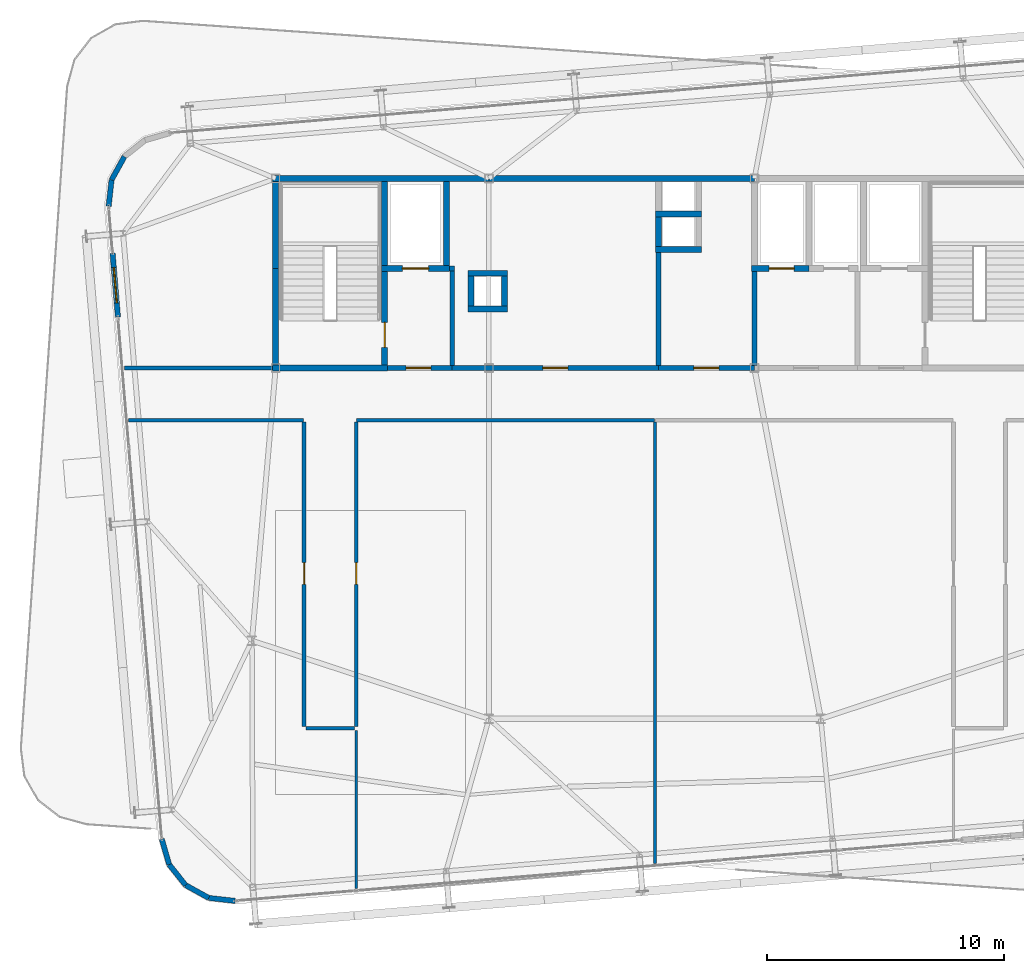
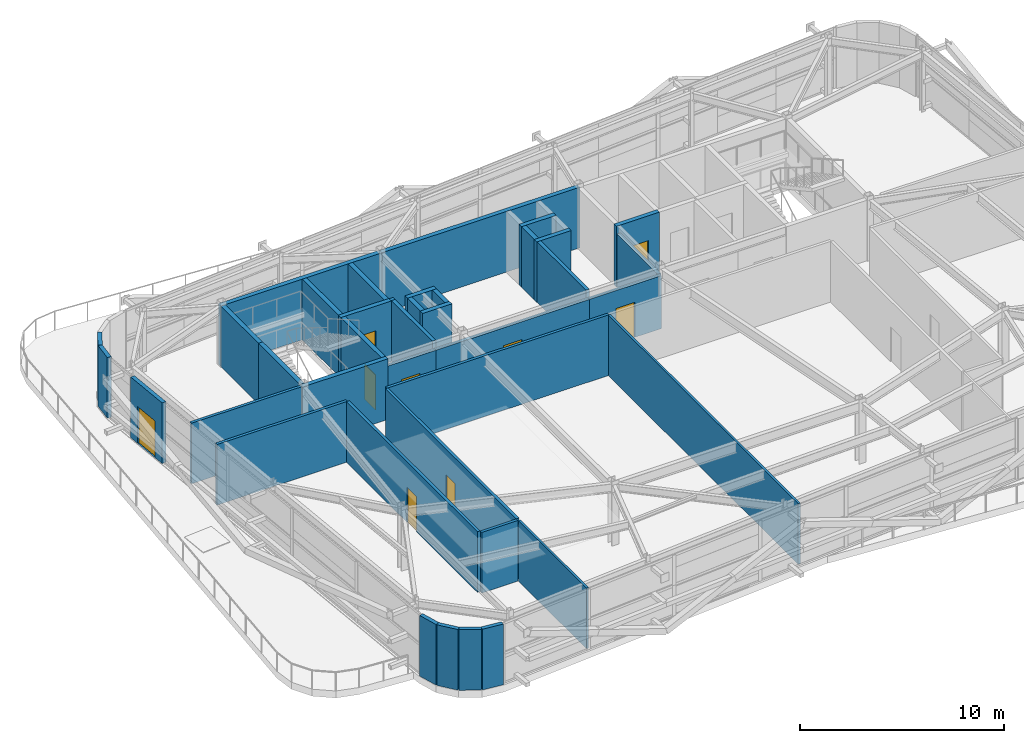
# One storey, part 33 of 38: 39 walls, 9 doors, 9 openings.
"""IFC4 building model written with IfcOpenShell, lengths in metres."""

from ifc_helpers import new_model, si_unit, direction, frame, frame_2d, origin, place, context, subcontext, project, spatial, rectangle, extrude, source, transform, mapped, material, layer, layer_set, type_object, element, fill, save


model = new_model("IFC4")

# Units and contexts
model_context = context("Model", 3, precision=1e-05, world=origin(), true_north=direction((0.0, 1.0)))
body_context = subcontext(model_context, "Body", "Model", "MODEL_VIEW")
ifc_project = project(units=[si_unit("LENGTHUNIT", "METRE"), si_unit("AREAUNIT", "SQUARE_METRE"), si_unit("VOLUMEUNIT", "CUBIC_METRE"), si_unit("PLANEANGLEUNIT", "RADIAN"), si_unit("MASSUNIT", "GRAM", prefix="KILO")], contexts=[model_context])

# Site, building, storey
site_placement = place(None, origin())
site = spatial("IfcSite", under=ifc_project, at=site_placement, CompositionType="ELEMENT")
building_placement = place(site_placement, origin())
building = spatial("IfcBuilding", under=site, at=building_placement, Name="Taldren Reach Tower", CompositionType="ELEMENT")
storey_placement = place(building_placement, frame((0.0, 0.0, 168.699951171875)))
storey = spatial("IfcBuildingStorey", under=building, at=storey_placement, Name="L51", CompositionType="ELEMENT", Elevation=168.699951171875)

# Walls
ifc_material_1 = material(Name="Pale Champagne Anodised Aluminium Cladding", Category="aluminium")
ifc_layer_1 = layer(ifc_material_1, 0.04, Name="Pale Champagne Anodised Aluminium Cladding", Category="aluminium")
ifc_material_2 = material(Name="Mineral Wool Acoustic Insulation", Category="insulation")
ifc_layer_2 = layer(ifc_material_2, 0.06, Name="Mineral Wool Acoustic Insulation", Category="insulation")
ifc_material_3 = material(Name="Steel Gr 350 (C350L0)", Category="steel")
ifc_layer_3 = layer(ifc_material_3, 0.12, Name="Steel Gr 350 (C350L0)", Category="steel")
ifc_layer_set_1 = layer_set([ifc_layer_1, ifc_layer_2, ifc_layer_3], Name="Pale Champagne Aluminium Cladding and Steel Gr 350 Stud Framing")
wall_type_1 = type_object("IfcWallType", Name="EW-CRN-220", PredefinedType="SOLIDWALL", material=ifc_layer_set_1)
shared_shape_1 = source(origin(), body_context, "Body", "SweptSolid", [
    extrude(rectangle(XDim=1.115966796875, YDim=0.219970703125, at=frame_2d((0.55810546875, 0.0))), origin(), (0.0, 0.0, 1.0), 3.630126953125),
])
for number, where, z_axis, x_axis, name in (
    (1, (12.618896484375, 32.9208984375, 0.0), (0.0, 0.0, 1.0), (-0.484100585842, -0.875012355791, 0.0), "Rounded-corner pale-metal facade wall L51-NW3"),
    (2, (12.07861328125, 31.9443359375, 0.0), (0.0, 0.0, 1.0), (-0.112232247342, -0.993682002784, 0.0), "Rounded-corner pale-metal facade wall L51-NW4"),
    (3, (14.19580078125, 4.129638671875, 0.0), (0.0, 0.0, 1.0), (0.276512002475, -0.961010464297, 0.0), "Rounded-corner pale-metal facade wall L51-SW1"),
    (4, (14.50439453125, 3.05712890625, 0.0), (0.0, 0.0, 1.0), (0.623092886403, -0.782147847222, 0.0), "Rounded-corner pale-metal facade wall L51-SW2"),
    (5, (15.19970703125, 2.184326171875, 0.0), (0.0, 0.0, 1.0), (0.875105012065, -0.483933071672, 0.0), "Rounded-corner pale-metal facade wall L51-SW3"),
    (6, (16.17626953125, 1.644287109375, 0.0), (0.0, 0.0, 1.0), (0.993657581277, -0.112448259968, 0.0), "Rounded-corner pale-metal facade wall L51-SW4"),
):
    element("IfcWall", number, at=place(storey_placement, frame(where, z_axis=z_axis, x_axis=x_axis)), inside=storey, type_object=wall_type_1, Name=name, PredefinedType="SOLIDWALL", context=body_context, shape_type="MappedRepresentation", body=[
        mapped(shared_shape_1, transform((0.0, 0.0, 0.0), scale=1.0)),
    ])

# Wall, opening, door
shared_shape_2 = source(origin(), body_context, "Body", "SweptSolid", [
    extrude(rectangle(XDim=2.699951171875, YDim=0.219970703125, at=frame_2d((1.35009765625, 0.0))), origin(), (0.0, 0.0, 1.0), 3.630126953125),
])
wall_1_placement = place(storey_placement, frame((12.12060546875, 28.842529296875, 0.0), z_axis=(0.0, 0.0, 1.0), x_axis=(0.083733940487, -0.99648814705, 0.0)))
wall_1 = element("IfcWall", 7, at=wall_1_placement, inside=storey, type_object=wall_type_1, Name="Terrace threshold facade wall L51-W1", PredefinedType="SOLIDWALL", context=body_context, shape_type="MappedRepresentation", body=[
    mapped(shared_shape_2, transform((0.0, 0.0, 0.0), scale=1.0)),
])
shared_shape_3 = source(origin(), body_context, "Body", "SweptSolid", [
    extrude(rectangle(XDim=1.5, YDim=2.199951171875, at=frame_2d((0.75, 1.10009765625))), frame((0.0, 0.1201171875, 0.0), z_axis=(0.0, -1.0, 0.0), x_axis=(1.0, 0.0, 0.0)), (0.0, 0.0, 1.0), 0.239990234375),
])
opening_1_placement = place(wall_1_placement, frame((0.60009765625, 0.0, 0.0)))
opening_1 = element("IfcOpeningElement", 8, at=opening_1_placement, cuts=wall_1, Name="Opening ED-150", PredefinedType="OPENING", context=body_context, shape_type="MappedRepresentation", body=[
    mapped(shared_shape_3, transform((0.0, 0.0, 0.0), scale=1.0)),
])
ifc_material_4 = material(Name="Weatherproof Glazed Terrace Door")
door_type_1 = type_object("IfcDoorType", Name="ED-TERR-1500", OperationType="DOUBLE_DOOR_SINGLE_SWING", PredefinedType="DOOR", material=ifc_material_4)
shared_shape_4 = source(origin(), body_context, "Body", "SweptSolid", [
    extrude(rectangle(XDim=1.5, YDim=2.199951171875, at=frame_2d((0.75, 1.10009765625))), frame((0.0, 0.02490234375, 0.0), z_axis=(0.0, -1.0, 0.0), x_axis=(1.0, 0.0, 0.0)), (0.0, 0.0, 1.0), 0.050048828125),
])
door_1_placement = place(opening_1_placement, frame((1.5, 0.0, 0.0), z_axis=(0.0, 0.0, 1.0), x_axis=(-1.0, 0.0, 0.0)))
door_1 = element("IfcDoor", 9, at=door_1_placement, inside=storey, type_object=door_type_1, Name="Setback terrace access door ED-TERR-L51-W1", OperationType="DOUBLE_DOOR_SINGLE_SWING", OverallHeight=2.199951171875, OverallWidth=1.5, PredefinedType="DOOR", context=body_context, shape_type="MappedRepresentation", body=[
    mapped(shared_shape_4, transform((0.0, 0.0, 0.0), scale=1.0)),
])
fill(opening_1, door_1)

# Walls
ifc_material_5 = material(Name="Concrete S65 (65 MPa)", Category="concrete")
ifc_layer_4 = layer(ifc_material_5, 0.25)
ifc_layer_set_2 = layer_set([ifc_layer_4], Name="Concrete S65 (65 MPa)")
wall_type_2 = type_object("IfcWallType", Name="IW-CORE-250", PredefinedType="SHEAR", material=ifc_layer_set_2)
shared_shape_5 = source(origin(), body_context, "Body", "SweptSolid", [
    extrude(rectangle(XDim=9.125, YDim=0.25, at=frame_2d((4.5625, 0.0))), origin(), (0.0, 0.0, 1.0), 3.630126953125),
])
wall_2_placement = place(storey_placement, frame((18.875, 32.0, 0.0), z_axis=(0.0, 0.0, 1.0), x_axis=(1.0, 0.0, 0.0)))
element("IfcWall", 10, at=wall_2_placement, inside=storey, type_object=wall_type_2, Name="Rear Core Shear Wall W-CORE-L51-NORTH1", PredefinedType="SHEAR", context=body_context, shape_type="MappedRepresentation", body=[
    mapped(shared_shape_5, transform((0.0, 0.0, 0.0), scale=1.0)),
])
shared_shape_6 = source(origin(), body_context, "Body", "SweptSolid", [
    extrude(rectangle(XDim=11.199951171875, YDim=0.25, at=frame_2d((5.60009765625, 0.0))), origin(), (0.0, 0.0, 1.0), 3.630126953125),
])
wall_3_placement = place(storey_placement, frame((28.0, 32.0, 0.0), z_axis=(0.0, 0.0, 1.0), x_axis=(1.0, 0.0, 0.0)))
element("IfcWall", 11, at=wall_3_placement, inside=storey, type_object=wall_type_2, Name="Rear Core Shear Wall W-CORE-L51-NORTH2", PredefinedType="SHEAR", context=body_context, shape_type="MappedRepresentation", body=[
    mapped(shared_shape_6, transform((0.0, 0.0, 0.0), scale=1.0)),
])
shared_shape_7 = source(origin(), body_context, "Body", "SweptSolid", [
    extrude(rectangle(XDim=4.074951171875, YDim=0.25, at=frame_2d((2.03759765625, 0.0))), origin(), (0.0, 0.0, 1.0), 3.630126953125),
])
wall_4_placement = place(storey_placement, frame((19.0, 24.125, 0.0), z_axis=(0.0, 0.0, 1.0), x_axis=(0.0, 1.0, 0.0)))
element("IfcWall", 12, at=wall_4_placement, inside=storey, type_object=wall_type_2, Name="Rear Core Shear Wall W-CORE-L51-WEST1", PredefinedType="SHEAR", context=body_context, shape_type="MappedRepresentation", body=[
    mapped(shared_shape_7, transform((0.0, 0.0, 0.0), scale=1.0)),
])
shared_shape_8 = source(origin(), body_context, "Body", "SweptSolid", [
    extrude(rectangle(XDim=3.675048828125, YDim=0.25, at=frame_2d((1.83740234375, 0.0))), origin(), (0.0, 0.0, 1.0), 3.630126953125),
])
wall_5_placement = place(storey_placement, frame((19.0, 28.199951171875, 0.0), z_axis=(0.0, 0.0, 1.0), x_axis=(0.0, 1.0, 0.0)))
element("IfcWall", 13, at=wall_5_placement, inside=storey, type_object=wall_type_2, Name="Rear Core Shear Wall W-CORE-L51-WEST2", PredefinedType="SHEAR", context=body_context, shape_type="MappedRepresentation", body=[
    mapped(shared_shape_8, transform((0.0, 0.0, 0.0), scale=1.0)),
])
shared_shape_9 = source(origin(), body_context, "Body", "SweptSolid", [
    extrude(rectangle(XDim=3.550048828125, YDim=0.25, at=frame_2d((1.77490234375, 0.0))), origin(), (0.0, 0.0, 1.0), 3.630126953125),
])
for number, where, z_axis, x_axis, name in (
    (14, (23.60009765625, 28.324951171875, 0.0), (0.0, 0.0, 1.0), (0.0, 1.0, 0.0), "Rear Core Shear Wall W-INT-L51-001"),
    (15, (26.199951171875, 28.324951171875, 0.0), (0.0, 0.0, 1.0), (0.0, 1.0, 0.0), "Rear Core Shear Wall W-INT-L51-005"),
):
    element("IfcWall", number, at=place(storey_placement, frame(where, z_axis=z_axis, x_axis=x_axis)), inside=storey, type_object=wall_type_2, Name=name, PredefinedType="SHEAR", context=body_context, shape_type="MappedRepresentation", body=[
        mapped(shared_shape_9, transform((0.0, 0.0, 0.0), scale=1.0)),
    ])

# Wall, opening, door
shared_shape_10 = source(origin(), body_context, "Body", "SweptSolid", [
    extrude(rectangle(XDim=3.949951171875, YDim=0.25, at=frame_2d((1.97509765625, 0.0))), origin(), (0.0, 0.0, 1.0), 3.630126953125),
])
wall_6_placement = place(storey_placement, frame((23.60009765625, 24.125, 0.0), z_axis=(0.0, 0.0, 1.0), x_axis=(0.0, 1.0, 0.0)))
wall_6 = element("IfcWall", 16, at=wall_6_placement, inside=storey, type_object=wall_type_2, Name="Rear Core Shear Wall W-INT-L51-002", PredefinedType="SHEAR", context=body_context, shape_type="MappedRepresentation", body=[
    mapped(shared_shape_10, transform((0.0, 0.0, 0.0), scale=1.0)),
])
shared_shape_11 = source(origin(), body_context, "Body", "SweptSolid", [
    extrude(rectangle(XDim=1.050048828125, YDim=2.10009765625, at=frame_2d((0.52490234375, 1.050048828125))), frame((0.0, 0.135009765625, 0.0), z_axis=(0.0, -1.0, 0.0), x_axis=(1.0, 0.0, 0.0)), (0.0, 0.0, 1.0), 0.27001953125),
])
opening_2_placement = place(wall_6_placement, frame((0.75, 0.0, 0.0)))
opening_2 = element("IfcOpeningElement", 17, at=opening_2_placement, cuts=wall_6, Name="Opening DF-105", PredefinedType="OPENING", context=body_context, shape_type="MappedRepresentation", body=[
    mapped(shared_shape_11, transform((0.0, 0.0, 0.0), scale=1.0)),
])
ifc_material_6 = material(Name="Fire-Rated Care and Stair Exit Door")
door_type_2 = type_object("IfcDoorType", Name="ID-FIRE-105", OperationType="NOTDEFINED", PredefinedType="DOOR", material=ifc_material_6)
shared_shape_12 = source(origin(), body_context, "Body", "SweptSolid", [
    extrude(rectangle(XDim=1.050048828125, YDim=2.10009765625, at=frame_2d((0.52490234375, 1.050048828125))), frame((0.0, 0.02490234375, 0.0), z_axis=(0.0, -1.0, 0.0), x_axis=(1.0, 0.0, 0.0)), (0.0, 0.0, 1.0), 0.050048828125),
])
door_2_placement = place(opening_2_placement, origin())
door_2 = element("IfcDoor", 18, at=door_2_placement, inside=storey, type_object=door_type_2, Name="Fire Exit Stair Door DR-L51-001", OperationType="SINGLE_SWING_LEFT", OverallHeight=2.10009765625, OverallWidth=1.050048828125, PredefinedType="DOOR", context=body_context, shape_type="MappedRepresentation", body=[
    mapped(shared_shape_12, transform((0.0, 0.0, 0.0), scale=1.0)),
])
fill(opening_2, door_2)

# Wall
shared_shape_13 = source(origin(), body_context, "Body", "SweptSolid", [
    extrude(rectangle(XDim=4.85009765625, YDim=0.25, at=frame_2d((2.425048828125, 0.0))), origin(), (0.0, 0.0, 1.0), 3.630126953125),
])
wall_7_placement = place(storey_placement, frame((18.875, 24.0, 0.0), z_axis=(0.0, 0.0, 1.0), x_axis=(1.0, 0.0, 0.0)))
element("IfcWall", 19, at=wall_7_placement, inside=storey, type_object=wall_type_2, Name="Rear Core Shear Wall W-INT-L51-003", PredefinedType="SHEAR", context=body_context, shape_type="MappedRepresentation", body=[
    mapped(shared_shape_13, transform((0.0, 0.0, 0.0), scale=1.0)),
])

# Wall, opening, door
shared_shape_14 = source(origin(), body_context, "Body", "SweptSolid", [
    extrude(rectangle(XDim=2.849853515625, YDim=0.25, at=frame_2d((1.4248046875, 0.0))), origin(), (0.0, 0.0, 1.0), 3.630126953125),
])
wall_8_placement = place(storey_placement, frame((23.47509765625, 28.199951171875, 0.0), z_axis=(0.0, 0.0, 1.0), x_axis=(1.0, 0.0, 0.0)))
wall_8 = element("IfcWall", 20, at=wall_8_placement, inside=storey, type_object=wall_type_2, Name="Rear Core Shear Wall W-INT-L51-004", PredefinedType="SHEAR", context=body_context, shape_type="MappedRepresentation", body=[
    mapped(shared_shape_14, transform((0.0, 0.0, 0.0), scale=1.0)),
])
shared_shape_15 = source(origin(), body_context, "Body", "SweptSolid", [
    extrude(rectangle(XDim=1.10009765625, YDim=2.14990234375, at=frame_2d((0.550048828125, 1.074951171875))), frame((0.0, 0.135009765625, 0.0), z_axis=(0.0, -1.0, 0.0), x_axis=(1.0, 0.0, 0.0)), (0.0, 0.0, 1.0), 0.27001953125),
])
opening_3_placement = place(wall_8_placement, frame((0.875, 0.0, 0.0)))
opening_3 = element("IfcOpeningElement", 21, at=opening_3_placement, cuts=wall_8, Name="Opening LD-FL1", PredefinedType="OPENING", context=body_context, shape_type="MappedRepresentation", body=[
    mapped(shared_shape_15, transform((0.0, 0.0, 0.0), scale=1.0)),
])
ifc_material_7 = material(Name="Stainless Steel Gr 316 Emergency Lift Landing Door", Category="steel")
door_type_3 = type_object("IfcDoorType", Name="LD-EMG-110", OperationType="SLIDING_TO_LEFT", PredefinedType="DOOR", material=ifc_material_7)
shared_shape_16 = source(origin(), body_context, "Body", "SweptSolid", [
    extrude(rectangle(XDim=1.10009765625, YDim=2.14990234375, at=frame_2d((0.550048828125, 1.074951171875))), frame((0.0, 0.02490234375, 0.0), z_axis=(0.0, -1.0, 0.0), x_axis=(1.0, 0.0, 0.0)), (0.0, 0.0, 1.0), 0.050048828125),
])
door_3_placement = place(opening_3_placement, origin())
door_3 = element("IfcDoor", 22, at=door_3_placement, inside=storey, type_object=door_type_3, Name="Lift Landing Door LD-FL1-L51", OperationType="SLIDING_TO_LEFT", OverallHeight=2.14990234375, OverallWidth=1.10009765625, PredefinedType="DOOR", context=body_context, shape_type="MappedRepresentation", body=[
    mapped(shared_shape_16, transform((0.0, 0.0, 0.0), scale=1.0)),
])
fill(opening_3, door_3)

# Wall
ifc_material_8 = material(Name="Concrete S50 (50 MPa)", Category="concrete")
ifc_layer_5 = layer(ifc_material_8, 0.199951171875)
ifc_layer_set_3 = layer_set([ifc_layer_5], Name="Concrete S50 (50 MPa)")
wall_type_3 = type_object("IfcWallType", Name="IW-CORE-200", PredefinedType="SOLIDWALL", material=ifc_layer_set_3)
shared_shape_17 = source(origin(), body_context, "Body", "SweptSolid", [
    extrude(rectangle(XDim=4.0, YDim=0.199951171875, at=frame_2d((2.0, 0.0))), origin(), (0.0, 0.0, 1.0), 3.630126953125),
])
wall_9_placement = place(storey_placement, frame((26.449951171875, 24.10009765625, 0.0), z_axis=(0.0, 0.0, 1.0), x_axis=(0.0, 1.0, 0.0)))
element("IfcWall", 23, at=wall_9_placement, inside=storey, type_object=wall_type_3, Name="Rear Core Shear Wall W-INT-L51-006", PredefinedType="SOLIDWALL", context=body_context, shape_type="MappedRepresentation", body=[
    mapped(shared_shape_17, transform((0.0, 0.0, 0.0), scale=1.0)),
])

# Wall, opening, door
shared_shape_18 = source(origin(), body_context, "Body", "SweptSolid", [
    extrude(rectangle(XDim=2.724853515625, YDim=0.199951171875, at=frame_2d((1.3623046875, 0.0))), origin(), (0.0, 0.0, 1.0), 3.170166015625),
])
wall_10_placement = place(storey_placement, frame((23.72509765625, 24.0, 0.0), z_axis=(0.0, 0.0, 1.0), x_axis=(1.0, 0.0, 0.0)))
wall_10 = element("IfcWall", 24, at=wall_10_placement, inside=storey, type_object=wall_type_3, Name="Rear Core Shear Wall W-INT-L51-007", PredefinedType="SOLIDWALL", context=body_context, shape_type="MappedRepresentation", body=[
    mapped(shared_shape_18, transform((0.0, 0.0, 0.0), scale=1.0)),
])
shared_shape_19 = source(origin(), body_context, "Body", "SweptSolid", [
    extrude(rectangle(XDim=1.050048828125, YDim=2.10009765625, at=frame_2d((0.52490234375, 1.050048828125))), frame((0.0, 0.10986328125, 0.0), z_axis=(0.0, -1.0, 0.0), x_axis=(1.0, 0.0, 0.0)), (0.0, 0.0, 1.0), 0.219970703125),
])
opening_4_placement = place(wall_10_placement, frame((0.77490234375, 0.0, 0.0)))
opening_4 = element("IfcOpeningElement", 25, at=opening_4_placement, cuts=wall_10, Name="Opening DF-105", PredefinedType="OPENING", context=body_context, shape_type="MappedRepresentation", body=[
    mapped(shared_shape_19, transform((0.0, 0.0, 0.0), scale=1.0)),
])
door_4_placement = place(opening_4_placement, origin())
door_4 = element("IfcDoor", 26, at=door_4_placement, inside=storey, type_object=door_type_2, Name="Interior Door DR-L51-002", OperationType="SINGLE_SWING_LEFT", OverallHeight=2.10009765625, OverallWidth=1.050048828125, PredefinedType="DOOR", context=body_context, shape_type="MappedRepresentation", body=[
    mapped(shared_shape_12, transform((0.0, 0.0, 0.0), scale=1.0)),
])
fill(opening_4, door_4)

# Walls
shared_shape_20 = source(origin(), body_context, "Body", "SweptSolid", [
    extrude(rectangle(XDim=1.9501953125, YDim=0.25, at=frame_2d((0.97509765625, 0.0))), origin(), (0.0, 0.0, 1.0), 3.630126953125),
])
for number, where, z_axis, x_axis, name in (
    (27, (35.02490234375, 30.5, 0.0), (0.0, 0.0, 1.0), (1.0, 0.0, 0.0), "Rear Core Shear Wall W-INT-L51-015"),
    (28, (35.02490234375, 29.0, 0.0), (0.0, 0.0, 1.0), (1.0, 0.0, 0.0), "Rear Core Shear Wall W-INT-L51-019"),
):
    element("IfcWall", number, at=place(storey_placement, frame(where, z_axis=z_axis, x_axis=x_axis)), inside=storey, type_object=wall_type_2, Name=name, PredefinedType="SHEAR", context=body_context, shape_type="MappedRepresentation", body=[
        mapped(shared_shape_20, transform((0.0, 0.0, 0.0), scale=1.0)),
    ])
shared_shape_21 = source(origin(), body_context, "Body", "SweptSolid", [
    extrude(rectangle(XDim=1.25, YDim=0.25, at=frame_2d((0.625, 0.0))), origin(), (0.0, 0.0, 1.0), 3.630126953125),
])
for number, where, z_axis, x_axis, name in (
    (29, (35.14990234375, 30.375, 0.0), (0.0, 0.0, 1.0), (0.0, -1.0, 0.0), "Rear Core Shear Wall W-INT-L51-018"),
    (30, (28.64990234375, 26.625, 0.0), (0.0, 0.0, 1.0), (0.0, 1.0, 0.0), "Rear Core Shear Wall W-INT-L51-021"),
    (31, (27.25, 27.875, 0.0), (0.0, 0.0, 1.0), (0.0, -1.0, 0.0), "Rear Core Shear Wall W-INT-L51-022"),
):
    element("IfcWall", number, at=place(storey_placement, frame(where, z_axis=z_axis, x_axis=x_axis)), inside=storey, type_object=wall_type_2, Name=name, PredefinedType="SHEAR", context=body_context, shape_type="MappedRepresentation", body=[
        mapped(shared_shape_21, transform((0.0, 0.0, 0.0), scale=1.0)),
    ])
shared_shape_22 = source(origin(), body_context, "Body", "SweptSolid", [
    extrude(rectangle(XDim=1.64990234375, YDim=0.25, at=frame_2d((0.824951171875, 0.0))), origin(), (0.0, 0.0, 1.0), 3.630126953125),
])
for number, where, z_axis, x_axis, name in (
    (32, (28.77490234375, 28.0, 0.0), (0.0, 0.0, 1.0), (-1.0, 0.0, 0.0), "Rear Core Shear Wall W-INT-L51-023"),
    (33, (27.125, 26.5, 0.0), (0.0, 0.0, 1.0), (1.0, 0.0, 0.0), "Rear Core Shear Wall W-INT-L51-024"),
):
    element("IfcWall", number, at=place(storey_placement, frame(where, z_axis=z_axis, x_axis=x_axis)), inside=storey, type_object=wall_type_2, Name=name, PredefinedType="SHEAR", context=body_context, shape_type="MappedRepresentation", body=[
        mapped(shared_shape_22, transform((0.0, 0.0, 0.0), scale=1.0)),
    ])

# Wall, opening, door
shared_shape_23 = source(origin(), body_context, "Body", "SweptSolid", [
    extrude(rectangle(XDim=2.425048828125, YDim=0.25, at=frame_2d((1.21240234375, 0.0))), origin(), (0.0, 0.0, 1.0), 3.630126953125),
])
wall_11_placement = place(storey_placement, frame((39.074951171875, 28.199951171875, 0.0), z_axis=(0.0, 0.0, 1.0), x_axis=(1.0, 0.0, 0.0)))
wall_11 = element("IfcWall", 34, at=wall_11_placement, inside=storey, type_object=wall_type_2, Name="Rear Core Shear Wall W-INT-L51-026", PredefinedType="SHEAR", context=body_context, shape_type="MappedRepresentation", body=[
    mapped(shared_shape_23, transform((0.0, 0.0, 0.0), scale=1.0)),
])
shared_shape_24 = source(origin(), body_context, "Body", "SweptSolid", [
    extrude(rectangle(XDim=1.050048828125, YDim=2.14990234375, at=frame_2d((0.52490234375, 1.074951171875))), frame((0.0, 0.135009765625, 0.0), z_axis=(0.0, -1.0, 0.0), x_axis=(1.0, 0.0, 0.0)), (0.0, 0.0, 1.0), 0.27001953125),
])
opening_5_placement = place(wall_11_placement, frame((0.75, 0.0, 0.0)))
opening_5 = element("IfcOpeningElement", 35, at=opening_5_placement, cuts=wall_11, Name="Opening LD-PH1", PredefinedType="OPENING", context=body_context, shape_type="MappedRepresentation", body=[
    mapped(shared_shape_24, transform((0.0, 0.0, 0.0), scale=1.0)),
])
ifc_material_9 = material(Name="Stainless Steel Gr 316 Passenger Lift Landing Door", Category="steel")
door_type_4 = type_object("IfcDoorType", Name="LD-PAS-105", OperationType="SLIDING_TO_LEFT", PredefinedType="DOOR", material=ifc_material_9)
shared_shape_25 = source(origin(), body_context, "Body", "SweptSolid", [
    extrude(rectangle(XDim=1.050048828125, YDim=2.14990234375, at=frame_2d((0.52490234375, 1.074951171875))), frame((0.0, 0.02490234375, 0.0), z_axis=(0.0, -1.0, 0.0), x_axis=(1.0, 0.0, 0.0)), (0.0, 0.0, 1.0), 0.050048828125),
])
door_5_placement = place(opening_5_placement, origin())
door_5 = element("IfcDoor", 36, at=door_5_placement, inside=storey, type_object=door_type_4, Name="Lift Landing Door LD-PH1-L51", OperationType="SLIDING_TO_LEFT", OverallHeight=2.14990234375, OverallWidth=1.050048828125, PredefinedType="DOOR", context=body_context, shape_type="MappedRepresentation", body=[
    mapped(shared_shape_25, transform((0.0, 0.0, 0.0), scale=1.0)),
])
fill(opening_5, door_5)

# Walls
shared_shape_26 = source(origin(), body_context, "Body", "SweptSolid", [
    extrude(rectangle(XDim=3.974853515625, YDim=0.199951171875, at=frame_2d((1.9873046875, 0.0))), origin(), (0.0, 0.0, 1.0), 3.170166015625),
])
wall_12_placement = place(storey_placement, frame((39.199951171875, 24.10009765625, 0.0), z_axis=(0.0, 0.0, 1.0), x_axis=(0.0, 1.0, 0.0)))
element("IfcWall", 37, at=wall_12_placement, inside=storey, type_object=wall_type_3, Name="Rear Core Shear Wall W-INT-L51-029", PredefinedType="SOLIDWALL", context=body_context, shape_type="MappedRepresentation", body=[
    mapped(shared_shape_26, transform((0.0, 0.0, 0.0), scale=1.0)),
])
shared_shape_27 = source(origin(), body_context, "Body", "SweptSolid", [
    extrude(rectangle(XDim=4.77490234375, YDim=0.199951171875, at=frame_2d((2.387451171875, 0.0))), origin(), (0.0, 0.0, 1.0), 3.630126953125),
])
wall_13_placement = place(storey_placement, frame((35.14990234375, 28.875, 0.0), z_axis=(0.0, 0.0, 1.0), x_axis=(0.0, -1.0, 0.0)))
element("IfcWall", 38, at=wall_13_placement, inside=storey, type_object=wall_type_3, Name="Rear Core Shear Wall W-INT-L51-031", PredefinedType="SOLIDWALL", context=body_context, shape_type="MappedRepresentation", body=[
    mapped(shared_shape_27, transform((0.0, 0.0, 0.0), scale=1.0)),
])

# Wall, opening, door
shared_shape_28 = source(origin(), body_context, "Body", "SweptSolid", [
    extrude(rectangle(XDim=8.699951171875, YDim=0.199951171875, at=frame_2d((4.35009765625, 0.0))), origin(), (0.0, 0.0, 1.0), 3.170166015625),
])
wall_14_placement = place(storey_placement, frame((35.14990234375, 24.0, 0.0), z_axis=(0.0, 0.0, 1.0), x_axis=(-1.0, 0.0, 0.0)))
wall_14 = element("IfcWall", 39, at=wall_14_placement, inside=storey, type_object=wall_type_3, Name="Rear Core Shear Wall W-INT-L51-032", PredefinedType="SOLIDWALL", context=body_context, shape_type="MappedRepresentation", body=[
    mapped(shared_shape_28, transform((0.0, 0.0, 0.0), scale=1.0)),
])
opening_6_placement = place(wall_14_placement, frame((3.824951171875, 0.0, 0.0)))
opening_6 = element("IfcOpeningElement", 40, at=opening_6_placement, cuts=wall_14, Name="Opening DF-105", PredefinedType="OPENING", context=body_context, shape_type="MappedRepresentation", body=[
    mapped(shared_shape_19, transform((0.0, 0.0, 0.0), scale=1.0)),
])
door_6_placement = place(opening_6_placement, frame((1.050048828125, 0.0, 0.0), z_axis=(0.0, 0.0, 1.0), x_axis=(-1.0, 0.0, 0.0)))
door_6 = element("IfcDoor", 41, at=door_6_placement, inside=storey, type_object=door_type_2, Name="Interior Door DR-L51-006", OperationType="SINGLE_SWING_RIGHT", OverallHeight=2.10009765625, OverallWidth=1.050048828125, PredefinedType="DOOR", context=body_context, shape_type="MappedRepresentation", body=[
    mapped(shared_shape_12, transform((0.0, 0.0, 0.0), scale=1.0)),
])
fill(opening_6, door_6)

shared_shape_29 = source(origin(), body_context, "Body", "SweptSolid", [
    extrude(rectangle(XDim=4.050048828125, YDim=0.199951171875, at=frame_2d((2.02490234375, 0.0))), origin(), (0.0, 0.0, 1.0), 3.170166015625),
])
wall_15_placement = place(storey_placement, frame((39.199951171875, 24.0, 0.0), z_axis=(0.0, 0.0, 1.0), x_axis=(-1.0, 0.0, 0.0)))
wall_15 = element("IfcWall", 42, at=wall_15_placement, inside=storey, type_object=wall_type_3, Name="Rear Core Shear Wall W-INT-L51-033", PredefinedType="SOLIDWALL", context=body_context, shape_type="MappedRepresentation", body=[
    mapped(shared_shape_29, transform((0.0, 0.0, 0.0), scale=1.0)),
])
opening_7_placement = place(wall_15_placement, frame((1.5, 0.0, 0.0)))
opening_7 = element("IfcOpeningElement", 43, at=opening_7_placement, cuts=wall_15, Name="Opening DF-105", PredefinedType="OPENING", context=body_context, shape_type="MappedRepresentation", body=[
    mapped(shared_shape_19, transform((0.0, 0.0, 0.0), scale=1.0)),
])
door_7_placement = place(opening_7_placement, frame((1.050048828125, 0.0, 0.0), z_axis=(0.0, 0.0, 1.0), x_axis=(-1.0, 0.0, 0.0)))
door_7 = element("IfcDoor", 44, at=door_7_placement, inside=storey, type_object=door_type_2, Name="Interior Door DR-L51-007", OperationType="SINGLE_SWING_LEFT", OverallHeight=2.10009765625, OverallWidth=1.050048828125, PredefinedType="DOOR", context=body_context, shape_type="MappedRepresentation", body=[
    mapped(shared_shape_12, transform((0.0, 0.0, 0.0), scale=1.0)),
])
fill(opening_7, door_7)

ifc_material_10 = material(Name="Fire-Rated Acoustic Plasterboard Stud Wall", Category="gypsum")
ifc_layer_6 = layer(ifc_material_10, 0.159912109375)
ifc_layer_set_4 = layer_set([ifc_layer_6], Name="Fire-Rated Acoustic Plasterboard Stud Wall")
wall_type_4 = type_object("IfcWallType", Name="IW-FIRE-160", PredefinedType="PARTITIONING", material=ifc_layer_set_4)
shared_shape_30 = source(origin(), body_context, "Body", "SweptSolid", [
    extrude(rectangle(XDim=12.840087890625, YDim=0.159912109375, at=frame_2d((6.419921875, 0.0))), origin(), (0.0, 0.0, 1.0), 3.630126953125),
])
wall_16_placement = place(storey_placement, frame((20.199951171875, 8.8798828125, 0.0), z_axis=(0.0, 0.0, 1.0), x_axis=(0.0, 1.0, 0.0)))
wall_16 = element("IfcWall", 45, at=wall_16_placement, inside=storey, type_object=wall_type_4, Name="Interior Partition Wall W-INT-L51-034", PredefinedType="PARTITIONING", context=body_context, shape_type="MappedRepresentation", body=[
    mapped(shared_shape_30, transform((0.0, 0.0, 0.0), scale=1.0)),
])
shared_shape_31 = source(origin(), body_context, "Body", "SweptSolid", [
    extrude(rectangle(XDim=0.919921875, YDim=2.10009765625, at=frame_2d((0.4599609375, 1.050048828125))), frame((0.0, 0.08984375, 0.0), z_axis=(0.0, -1.0, 0.0), x_axis=(1.0, 0.0, 0.0)), (0.0, 0.0, 1.0), 0.179931640625),
])
opening_8_placement = place(wall_16_placement, frame((5.98974609375, 0.0, 0.0)))
opening_8 = element("IfcOpeningElement", 46, at=opening_8_placement, cuts=wall_16, Name="Opening DI-092", PredefinedType="OPENING", context=body_context, shape_type="MappedRepresentation", body=[
    mapped(shared_shape_31, transform((0.0, 0.0, 0.0), scale=1.0)),
])
ifc_material_11 = material(Name="Solid-Core Timber Suite Door", Category="wood")
door_type_5 = type_object("IfcDoorType", Name="ID-INT-092", OperationType="NOTDEFINED", PredefinedType="DOOR", material=ifc_material_11)
shared_shape_32 = source(origin(), body_context, "Body", "SweptSolid", [
    extrude(rectangle(XDim=0.919921875, YDim=2.10009765625, at=frame_2d((0.4599609375, 1.050048828125))), frame((0.0, 0.02490234375, 0.0), z_axis=(0.0, -1.0, 0.0), x_axis=(1.0, 0.0, 0.0)), (0.0, 0.0, 1.0), 0.050048828125),
])
door_8_placement = place(opening_8_placement, origin())
door_8 = element("IfcDoor", 47, at=door_8_placement, inside=storey, type_object=door_type_5, Name="Interior Door DR-L51-008", OperationType="SINGLE_SWING_LEFT", OverallHeight=2.10009765625, OverallWidth=0.919921875, PredefinedType="DOOR", context=body_context, shape_type="MappedRepresentation", body=[
    mapped(shared_shape_32, transform((0.0, 0.0, 0.0), scale=1.0)),
])
fill(opening_8, door_8)

wall_17_placement = place(storey_placement, frame((22.39990234375, 21.719970703125, 0.0), z_axis=(0.0, 0.0, 1.0), x_axis=(0.0, -1.0, 0.0)))
wall_17 = element("IfcWall", 48, at=wall_17_placement, inside=storey, type_object=wall_type_4, Name="Interior Partition Wall W-INT-L51-037", PredefinedType="PARTITIONING", context=body_context, shape_type="MappedRepresentation", body=[
    mapped(shared_shape_30, transform((0.0, 0.0, 0.0), scale=1.0)),
])
opening_9_placement = place(wall_17_placement, frame((5.93017578125, 0.0, 0.0)))
opening_9 = element("IfcOpeningElement", 49, at=opening_9_placement, cuts=wall_17, Name="Opening DI-092", PredefinedType="OPENING", context=body_context, shape_type="MappedRepresentation", body=[
    mapped(shared_shape_31, transform((0.0, 0.0, 0.0), scale=1.0)),
])
door_9_placement = place(opening_9_placement, origin())
door_9 = element("IfcDoor", 50, at=door_9_placement, inside=storey, type_object=door_type_5, Name="Interior Door DR-L51-009", OperationType="SINGLE_SWING_RIGHT", OverallHeight=2.10009765625, OverallWidth=0.919921875, PredefinedType="DOOR", context=body_context, shape_type="MappedRepresentation", body=[
    mapped(shared_shape_32, transform((0.0, 0.0, 0.0), scale=1.0)),
])
fill(opening_9, door_9)

# Walls
shared_shape_33 = source(origin(), body_context, "Body", "SweptSolid", [
    extrude(rectangle(XDim=7.384033203125, YDim=0.159912109375, at=frame_2d((3.69189453125, 0.0))), origin(), (0.0, 0.0, 1.0), 3.630126953125),
])
wall_18_placement = place(storey_placement, frame((20.1796875, 21.800048828125, 0.0), z_axis=(0.0, 0.0, 1.0), x_axis=(-1.0, 0.0, 0.0)))
element("IfcWall", 51, at=wall_18_placement, inside=storey, type_object=wall_type_4, Name="Interior Partition Wall W-INT-L51-035", PredefinedType="PARTITIONING", context=body_context, shape_type="MappedRepresentation", body=[
    mapped(shared_shape_33, transform((0.0, 0.0, 0.0), scale=1.0)),
])
shared_shape_34 = source(origin(), body_context, "Body", "SweptSolid", [
    extrude(rectangle(XDim=2.0400390625, YDim=0.159912109375, at=frame_2d((1.02001953125, 0.0))), origin(), (0.0, 0.0, 1.0), 3.630126953125),
])
wall_19_placement = place(storey_placement, frame((22.320068359375, 8.800048828125, 0.0), z_axis=(0.0, 0.0, 1.0), x_axis=(-1.0, 0.0, 0.0)))
element("IfcWall", 52, at=wall_19_placement, inside=storey, type_object=wall_type_4, Name="Interior Partition Wall W-INT-L51-036", PredefinedType="PARTITIONING", context=body_context, shape_type="MappedRepresentation", body=[
    mapped(shared_shape_34, transform((0.0, 0.0, 0.0), scale=1.0)),
])
shared_shape_35 = source(origin(), body_context, "Body", "SweptSolid", [
    extrude(rectangle(XDim=12.559326171875, YDim=0.159912109375, at=frame_2d((6.27978515625, 0.0))), origin(), (0.0, 0.0, 1.0), 3.630126953125),
])
wall_20_placement = place(storey_placement, frame((34.979736328125, 21.800048828125, 0.0), z_axis=(0.0, 0.0, 1.0), x_axis=(-1.0, 0.0, 0.0)))
element("IfcWall", 53, at=wall_20_placement, inside=storey, type_object=wall_type_4, Name="Interior Partition Wall W-INT-L51-038", PredefinedType="PARTITIONING", context=body_context, shape_type="MappedRepresentation", body=[
    mapped(shared_shape_35, transform((0.0, 0.0, 0.0), scale=1.0)),
])
shared_shape_36 = source(origin(), body_context, "Body", "SweptSolid", [
    extrude(rectangle(XDim=6.250732421875, YDim=0.159912109375, at=frame_2d((3.12548828125, 0.0))), origin(), (0.0, 0.0, 1.0), 3.630126953125),
])
wall_21_placement = place(storey_placement, frame((12.624267578125, 24.0, 0.0), z_axis=(0.0, 0.0, 1.0), x_axis=(1.0, 0.0, 0.0)))
element("IfcWall", 54, at=wall_21_placement, inside=storey, type_object=wall_type_4, Name="Interior Partition Wall W-INT-L51-045", PredefinedType="PARTITIONING", context=body_context, shape_type="MappedRepresentation", body=[
    mapped(shared_shape_36, transform((0.0, 0.0, 0.0), scale=1.0)),
])
ifc_material_12 = material(Name="Insulated Residential Stud Partition", Category="gypsum")
ifc_layer_7 = layer(ifc_material_12, 0.1201171875)
ifc_layer_set_5 = layer_set([ifc_layer_7], Name="Insulated Residential Stud Partition")
wall_type_5 = type_object("IfcWallType", Name="IW-PART-120", PredefinedType="PARTITIONING", material=ifc_layer_set_5)
shared_shape_37 = source(origin(), body_context, "Body", "SweptSolid", [
    extrude(rectangle(XDim=6.68408203125, YDim=0.1201171875, at=frame_2d((3.342041015625, 0.0))), origin(), (0.0, 0.0, 1.0), 3.630126953125),
])
wall_22_placement = place(storey_placement, frame((22.39990234375, 8.718017578125, 0.0), z_axis=(0.0, 0.0, 1.0), x_axis=(0.0, -1.0, 0.0)))
element("IfcWall", 55, at=wall_22_placement, inside=storey, type_object=wall_type_5, Name="Interior Partition Wall W-INT-L51-046", PredefinedType="PARTITIONING", context=body_context, shape_type="MappedRepresentation", body=[
    mapped(shared_shape_37, transform((0.0, 0.0, 0.0), scale=1.0)),
])
shared_shape_38 = source(origin(), body_context, "Body", "SweptSolid", [
    extrude(rectangle(XDim=18.6259765625, YDim=0.1201171875, at=frame_2d((9.31298828125, 0.0))), origin(), (0.0, 0.0, 1.0), 3.630126953125),
])
wall_23_placement = place(storey_placement, frame((35.0, 21.718017578125, 0.0), z_axis=(0.0, 0.0, 1.0), x_axis=(0.0, -1.0, 0.0)))
element("IfcWall", 56, at=wall_23_placement, inside=storey, type_object=wall_type_5, Name="Interior Partition Wall W-INT-L51-047", PredefinedType="PARTITIONING", context=body_context, shape_type="MappedRepresentation", body=[
    mapped(shared_shape_38, transform((0.0, 0.0, 0.0), scale=1.0)),
])
shared_shape_39 = source(origin(), body_context, "Body", "SweptSolid", [
    extrude(rectangle(XDim=0.22509765625, YDim=0.199951171875, at=frame_2d((0.112548828125, 0.0))), origin(), (0.0, 0.0, 1.0), 3.630126953125),
])
wall_24_placement = place(storey_placement, frame((26.324951171875, 28.199951171875, 0.0), z_axis=(0.0, 0.0, 1.0), x_axis=(1.0, 0.0, 0.0)))
element("IfcWall", 57, at=wall_24_placement, inside=storey, type_object=wall_type_3, Name="Rear Core Partition Wall W-INT-L51-049", PredefinedType="SOLIDWALL", context=body_context, shape_type="MappedRepresentation", body=[
    mapped(shared_shape_39, transform((0.0, 0.0, 0.0), scale=1.0)),
])

save(model, "model.ifc")
